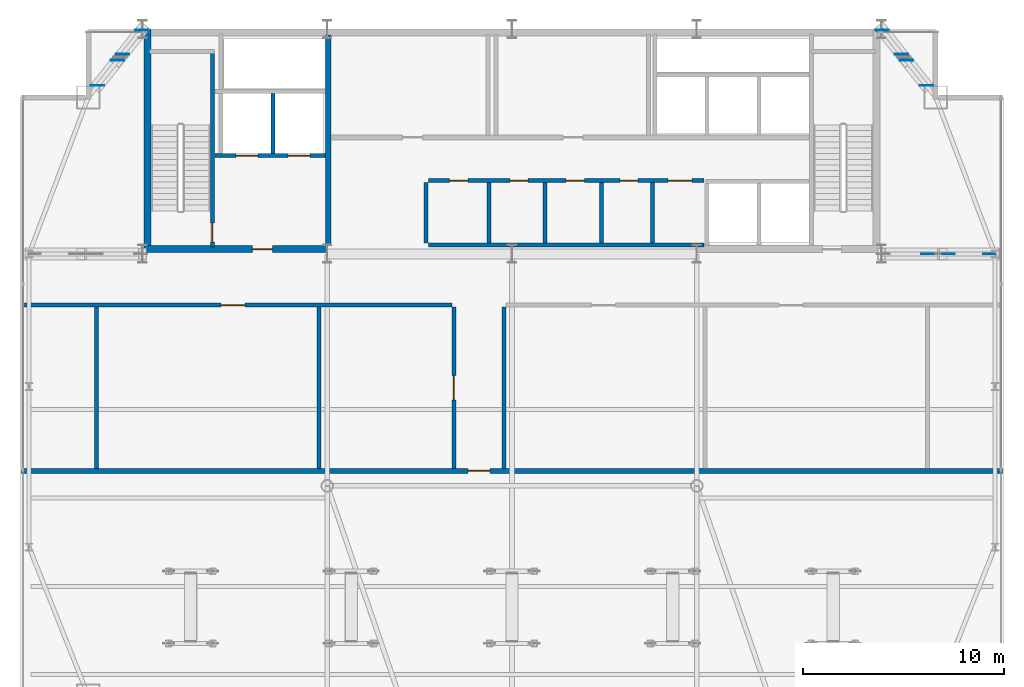
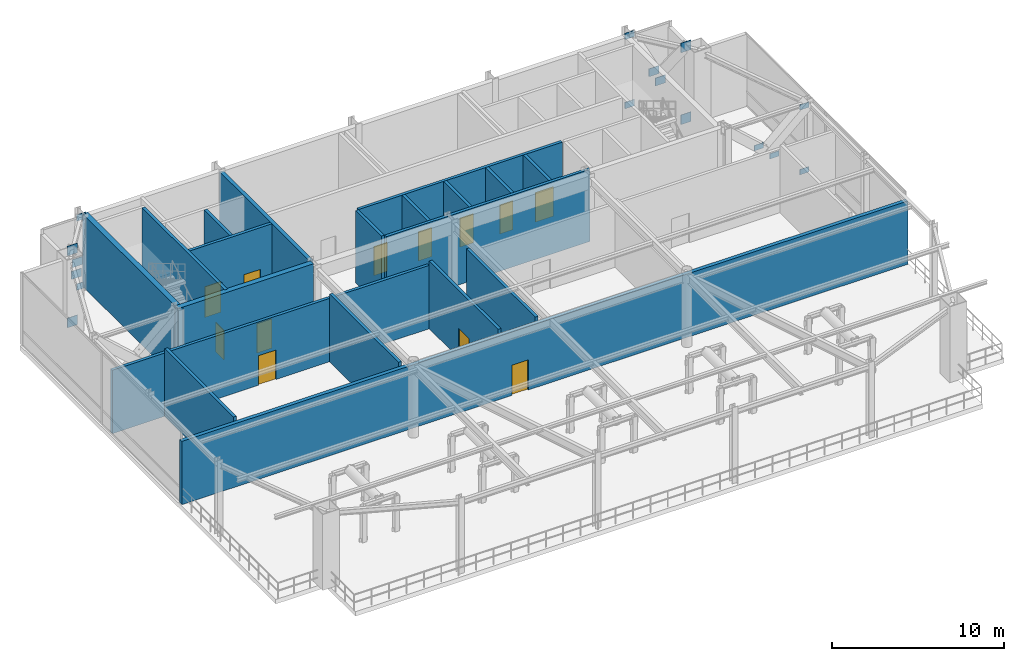
# One storey, part 18 of 21: 19 walls, 16 plates, 12 doors, 12 openings.
"""IFC4 building model written with IfcOpenShell, lengths in metres."""

from ifc_helpers import new_model, si_unit, direction, frame, frame_2d, origin, origin_2d, place, context, subcontext, project, spatial, rectangle, extrude, source, transform, mapped, material, layer, layer_set, type_object, type_shapes, element, fill, save


model = new_model("IFC4")

# Units and contexts
model_context = context("Model", 3, precision=1e-05, world=origin(), true_north=direction((0.0, 1.0)))
body_context = subcontext(model_context, "Body", "Model", "MODEL_VIEW")
ifc_project = project(units=[si_unit("LENGTHUNIT", "METRE"), si_unit("AREAUNIT", "SQUARE_METRE"), si_unit("VOLUMEUNIT", "CUBIC_METRE"), si_unit("PLANEANGLEUNIT", "RADIAN"), si_unit("MASSUNIT", "GRAM", prefix="KILO")], contexts=[model_context])

# Site, building, storey
site_placement = place(None, origin())
site = spatial("IfcSite", under=ifc_project, at=site_placement, CompositionType="ELEMENT")
building_placement = place(site_placement, origin())
building = spatial("IfcBuilding", under=site, at=building_placement, Name="Varnel Quay Broadcast Tower", CompositionType="ELEMENT")
storey_placement = place(building_placement, frame((0.0, 0.0, 234.0)))
storey = spatial("IfcBuildingStorey", under=building, at=storey_placement, Name="L58", CompositionType="ELEMENT", Elevation=234.0)

# Plates
ifc_material_1 = material(Name="Structural Steel CSA G40.21 350WT", Category="steel")
ifc_layer_1 = layer(ifc_material_1, 0.0400390625, Name="Structural Steel CSA G40.21 350WT")
ifc_layer_set_1 = layer_set([ifc_layer_1], Name="Structural Steel CSA G40.21 350WT")
plate_type_1 = type_object("IfcPlateType", Name="Plate_EmbedPlate", PredefinedType="USERDEFINED", material=ifc_layer_set_1)
shared_shape_1 = source(origin(), body_context, "Body", "SweptSolid", [
    extrude(rectangle(XDim=0.639892578125, YDim=0.0400390625, at=origin_2d()), origin(), (0.0, 0.0, 1.0), 0.449951171875),
])
type_shapes(plate_type_1, [shared_shape_1])
for number, where, z_axis, x_axis, name in (
    (1, (15.55712890625, 46.74609375, -0.10693359375), (0.0, 0.0, 1.0), (1.0, 0.0, 0.0), "L58 Outrigger NW Diag A Wall Cast-In Embed Plate P0"),
    (2, (15.55712890625, 46.745849609375, 4.806640625), (0.0, 0.0, 1.0), (1.0, 0.0, 0.0), "L58 Outrigger NW Diag B2 Wall Cast-In Embed Plate P1"),
    (3, (52.44287109375, 46.74609375, -0.10693359375), (0.0, 0.0, 1.0), (1.0, 0.0, 0.0), "L58 Outrigger NE Diag A Wall Cast-In Embed Plate P0"),
    (4, (52.44287109375, 46.745849609375, 4.806640625), (0.0, 0.0, 1.0), (1.0, 0.0, 0.0), "L58 Outrigger NE Diag B2 Wall Cast-In Embed Plate P1"),
):
    element("IfcPlate", number, at=place(storey_placement, frame(where, z_axis=z_axis, x_axis=x_axis)), inside=storey, type_object=plate_type_1, Name=name, ObjectType="EMBED_PLATE", PredefinedType="USERDEFINED", context=body_context, shape_type="MappedRepresentation", body=[
        mapped(shared_shape_1, transform((0.0, 0.0, 0.0), x_axis=(1.0, 0.0, 0.0), y_axis=(0.0, 1.0, 0.0), z_axis=(0.0, 0.0, 1.0), scale=1.0)),
    ])
ifc_layer_2 = layer(ifc_material_1, 0.031982421875, Name="Structural Steel CSA G40.21 350WT")
ifc_layer_set_2 = layer_set([ifc_layer_2], Name="Structural Steel CSA G40.21 350WT")
plate_type_2 = type_object("IfcPlateType", Name="Plate_EndCap", PredefinedType="USERDEFINED", material=ifc_layer_set_2)
shared_shape_2 = source(origin(), body_context, "Body", "SweptSolid", [
    extrude(rectangle(XDim=0.679931640625, YDim=0.0400390625, at=origin_2d()), origin(), (0.0, 0.0, 1.0), 0.679931640625),
])
for number, where, z_axis, x_axis, name in (
    (5, (13.365966796875, 43.98681640625, 4.7900390625), (0.0, 0.0, 1.0), (1.0, 0.0, 0.0), "L58 Outrigger NW Diag A End Connection Plate P1"),
    (6, (13.365966796875, 43.98681640625, -0.31982421875), (0.0, 0.0, 1.0), (1.0, 0.0, 0.0), "L58 Outrigger NW Diag B1 End Connection Plate P0"),
    (7, (54.634033203125, 43.98681640625, 4.7900390625), (0.0, 0.0, 1.0), (1.0, 0.0, 0.0), "L58 Outrigger NE Diag A End Connection Plate P1"),
    (8, (54.634033203125, 43.98681640625, -0.31982421875), (0.0, 0.0, 1.0), (1.0, 0.0, 0.0), "L58 Outrigger NE Diag B1 End Connection Plate P0"),
):
    element("IfcPlate", number, at=place(storey_placement, frame(where, z_axis=z_axis, x_axis=x_axis)), inside=storey, type_object=plate_type_2, Name=name, ObjectType="CAP_PLATE", PredefinedType="USERDEFINED", context=body_context, shape_type="MappedRepresentation", body=[
        mapped(shared_shape_2, transform((0.0, 0.0, 0.0), x_axis=(1.0, 0.0, 0.0), y_axis=(0.0, 1.0, 0.0), z_axis=(0.0, 0.0, 1.0), scale=1.0)),
    ])
shared_shape_3 = source(origin(), body_context, "Body", "SweptSolid", [
    extrude(rectangle(XDim=0.679931640625, YDim=0.0400390625, at=origin_2d()), origin(), (0.0, 0.0, 1.0), 0.56005859375),
])
for number, where, z_axis, x_axis, name in (
    (9, (14.35986328125, 45.238525390625, 2.013671875), (0.0, 0.0, 1.0), (1.0, 0.0, 0.0), "L58 Outrigger NW Diag B1 End Connection Plate P1"),
    (10, (14.60595703125, 45.548095703125, 2.576171875), (0.0, 0.0, 1.0), (1.0, 0.0, 0.0), "L58 Outrigger NW Diag B2 End Connection Plate P0"),
    (11, (53.639892578125, 45.238525390625, 2.013671875), (0.0, 0.0, 1.0), (1.0, 0.0, 0.0), "L58 Outrigger NE Diag B1 End Connection Plate P1"),
    (12, (53.39404296875, 45.548095703125, 2.576171875), (0.0, 0.0, 1.0), (1.0, 0.0, 0.0), "L58 Outrigger NE Diag B2 End Connection Plate P0"),
):
    element("IfcPlate", number, at=place(storey_placement, frame(where, z_axis=z_axis, x_axis=x_axis)), inside=storey, type_object=plate_type_2, Name=name, ObjectType="CAP_PLATE", PredefinedType="USERDEFINED", context=body_context, shape_type="MappedRepresentation", body=[
        mapped(shared_shape_3, transform((0.0, 0.0, 0.0), x_axis=(1.0, 0.0, 0.0), y_axis=(0.0, 1.0, 0.0), z_axis=(0.0, 0.0, 1.0), scale=1.0)),
    ])
shared_shape_4 = source(origin(), body_context, "Body", "SweptSolid", [
    extrude(rectangle(XDim=0.6201171875, YDim=0.031982421875, at=origin_2d()), origin(), (0.0, 0.0, 1.0), 0.3798828125),
])
type_shapes(plate_type_2, [shared_shape_2, shared_shape_3, shared_shape_4])
for number, where, z_axis, x_axis, name in (
    (13, (57.768310546875, 35.60009765625, 4.68505859375), (0.0, 0.0, 1.0), (1.0, 0.0, 0.0), "L58 Outrigger E Diag A End Connection Plate P1"),
    (14, (57.768310546875, 35.60009765625, 0.0849609375), (0.0, 0.0, 1.0), (1.0, 0.0, 0.0), "L58 Outrigger E Diag B1 End Connection Plate P0"),
    (15, (55.7490234375, 35.60009765625, 1.9111328125), (0.0, 0.0, 1.0), (1.0, 0.0, 0.0), "L58 Outrigger E Diag B1 End Connection Plate P1"),
    (16, (54.700927734375, 35.60009765625, 2.85888671875), (0.0, 0.0, 1.0), (1.0, 0.0, 0.0), "L58 Outrigger E Diag B2 End Connection Plate P0"),
):
    element("IfcPlate", number, at=place(storey_placement, frame(where, z_axis=z_axis, x_axis=x_axis)), inside=storey, type_object=plate_type_2, Name=name, ObjectType="CAP_PLATE", PredefinedType="USERDEFINED", context=body_context, shape_type="MappedRepresentation", body=[
        mapped(shared_shape_4, transform((0.0, 0.0, 0.0), x_axis=(1.0, 0.0, 0.0), y_axis=(0.0, 1.0, 0.0), z_axis=(0.0, 0.0, 1.0), scale=1.0)),
    ])

# Wall, opening, door
ifc_material_2 = material(Name="Concrete CSA A23.3 C50/60", Category="concrete")
ifc_layer_3 = layer(ifc_material_2, 0.199951171875, Name="Concrete CSA A23.3 C50/60")
ifc_layer_set_3 = layer_set([ifc_layer_3], Name="Concrete CSA A23.3 C50/60")
wall_type_1 = type_object("IfcWallType", Name="Wall_CoreShaftShear200", PredefinedType="SHEAR", material=ifc_layer_set_3)
wall_1_placement = place(storey_placement, frame((19.080078125, 35.949951171875, 0.0), z_axis=(0.0, 0.0, 1.0), x_axis=(0.0, 1.0, 0.0)))
wall_1 = element("IfcWall", 17, at=wall_1_placement, inside=storey, type_object=wall_type_1, Name="L58 Stair 1 East Structural Wall", PredefinedType="SHEAR", context=body_context, shape_type="SweptSolid", body=[
    extrude(rectangle(XDim=9.650146484375, YDim=0.199951171875, at=frame_2d((4.8251953125, 0.0))), origin(), (0.0, 0.0, 1.0), 5.14990234375),
])
opening_1_placement = place(wall_1_placement, frame((0.25, 0.0, 0.0)))
opening_1 = element("IfcOpeningElement", 18, at=opening_1_placement, cuts=wall_1, Name="Opening D-L58-S1", PredefinedType="OPENING", context=body_context, shape_type="SweptSolid", body=[
    extrude(rectangle(XDim=0.949951171875, YDim=2.10009765625, at=frame_2d((0.47509765625, 1.050048828125))), frame((0.0, 0.10986328125, 0.0), z_axis=(0.0, -1.0, 0.0), x_axis=(1.0, 0.0, 0.0)), (0.0, 0.0, 1.0), 0.219970703125),
])
ifc_material_3 = material(Name="Insulated Fire-Rated Hollow Steel Door", Category="steel")
door_type_1 = type_object("IfcDoorType", Name="Door_FireStair950", OperationType="NOTDEFINED", PredefinedType="DOOR", material=ifc_material_3)
shared_shape_5 = source(origin(), body_context, "Body", "SweptSolid", [
    extrude(rectangle(XDim=0.949951171875, YDim=2.10009765625, at=frame_2d((0.47509765625, 1.050048828125))), frame((0.0, 0.02490234375, 0.0), z_axis=(0.0, -1.0, 0.0), x_axis=(1.0, 0.0, 0.0)), (0.0, 0.0, 1.0), 0.050048828125),
])
type_shapes(door_type_1, [shared_shape_5])
door_1_placement = place(opening_1_placement, origin())
door_1 = element("IfcDoor", 19, at=door_1_placement, inside=storey, type_object=door_type_1, Name="L58 Stair 1 Fire Door", OperationType="SINGLE_SWING_RIGHT", OverallHeight=2.10009765625, OverallWidth=0.949951171875, PredefinedType="DOOR", context=body_context, shape_type="MappedRepresentation", body=[
    mapped(shared_shape_5, transform((0.0, 0.0, 0.0), x_axis=(1.0, 0.0, 0.0), y_axis=(0.0, 1.0, 0.0), z_axis=(0.0, 0.0, 1.0), scale=1.0)),
])
fill(opening_1, door_1)

# Wall, openings, doors
wall_2_placement = place(storey_placement, frame((19.199951171875, 40.5, 0.0), z_axis=(0.0, 0.0, 1.0), x_axis=(1.0, 0.0, 0.0)))
wall_2 = element("IfcWall", 20, at=wall_2_placement, inside=storey, type_object=wall_type_1, Name="L58 Firefighter Lift Shaft Front Wall", PredefinedType="SHEAR", context=body_context, shape_type="SweptSolid", body=[
    extrude(rectangle(XDim=5.52001953125, YDim=0.199951171875, at=frame_2d((2.760009765625, 0.0))), origin(), (0.0, 0.0, 1.0), 5.14990234375),
])
opening_2_placement = place(wall_2_placement, frame((1.050048828125, 0.0, 0.0)))
opening_2 = element("IfcOpeningElement", 21, at=opening_2_placement, cuts=wall_2, Name="Opening LD-L58-FE1", PredefinedType="OPENING", context=body_context, shape_type="SweptSolid", body=[
    extrude(rectangle(XDim=1.10009765625, YDim=2.179931640625, at=frame_2d((0.550048828125, 1.08984375))), frame((0.0, 0.10986328125, 0.0), z_axis=(0.0, -1.0, 0.0), x_axis=(1.0, 0.0, 0.0)), (0.0, 0.0, 1.0), 0.219970703125),
])
opening_3_placement = place(wall_2_placement, frame((3.64990234375, 0.0, 0.0)))
opening_3 = element("IfcOpeningElement", 22, at=opening_3_placement, cuts=wall_2, Name="Opening LD-L58-FE2", PredefinedType="OPENING", context=body_context, shape_type="SweptSolid", body=[
    extrude(rectangle(XDim=1.10009765625, YDim=2.179931640625, at=frame_2d((0.550048828125, 1.08984375))), frame((0.0, 0.10986328125, 0.0), z_axis=(0.0, -1.0, 0.0), x_axis=(1.0, 0.0, 0.0)), (0.0, 0.0, 1.0), 0.219970703125),
])
ifc_material_4 = material(Name="Brushed Bronze-Stainless Lift Car & Sliding Doors", Category="steel")
door_type_2 = type_object("IfcDoorType", Name="Door_LiftLanding1100", OperationType="SLIDING_TO_LEFT", PredefinedType="DOOR", material=ifc_material_4)
shared_shape_6 = source(origin(), body_context, "Body", "SweptSolid", [
    extrude(rectangle(XDim=1.10009765625, YDim=2.179931640625, at=frame_2d((0.550048828125, 1.08984375))), frame((0.0, 0.02490234375, 0.0), z_axis=(0.0, -1.0, 0.0), x_axis=(1.0, 0.0, 0.0)), (0.0, 0.0, 1.0), 0.050048828125),
])
type_shapes(door_type_2, [shared_shape_6])
door_2_placement = place(opening_2_placement, frame((1.10009765625, 0.0, 0.0), z_axis=(0.0, 0.0, 1.0), x_axis=(-1.0, 0.0, 0.0)))
door_2 = element("IfcDoor", 23, at=door_2_placement, inside=storey, type_object=door_type_2, Name="L58 Firefighter Lift FE-01 Landing Door", OperationType="SLIDING_TO_LEFT", OverallHeight=2.179931640625, OverallWidth=1.10009765625, PredefinedType="DOOR", context=body_context, shape_type="MappedRepresentation", body=[
    mapped(shared_shape_6, transform((0.0, 0.0, 0.0), x_axis=(1.0, 0.0, 0.0), y_axis=(0.0, 1.0, 0.0), z_axis=(0.0, 0.0, 1.0), scale=1.0)),
])
fill(opening_2, door_2)
door_3_placement = place(opening_3_placement, frame((1.10009765625, 0.0, 0.0), z_axis=(0.0, 0.0, 1.0), x_axis=(-1.0, 0.0, 0.0)))
door_3 = element("IfcDoor", 24, at=door_3_placement, inside=storey, type_object=door_type_2, Name="L58 Firefighter Lift FE-02 Landing Door", OperationType="SLIDING_TO_RIGHT", OverallHeight=2.179931640625, OverallWidth=1.10009765625, PredefinedType="DOOR", context=body_context, shape_type="MappedRepresentation", body=[
    mapped(shared_shape_6, transform((0.0, 0.0, 0.0), x_axis=(1.0, 0.0, 0.0), y_axis=(0.0, 1.0, 0.0), z_axis=(0.0, 0.0, 1.0), scale=1.0)),
])
fill(opening_3, door_3)

# Walls
wall_3_placement = place(storey_placement, frame((22.10009765625, 40.60009765625, 0.0), z_axis=(0.0, 0.0, 1.0), x_axis=(0.0, 1.0, 0.0)))
element("IfcWall", 25, at=wall_3_placement, inside=storey, type_object=wall_type_1, Name="L58 Firefighter Lift Shaft Divider", PredefinedType="SHEAR", context=body_context, shape_type="SweptSolid", body=[
    extrude(rectangle(XDim=3.0, YDim=0.199951171875, at=frame_2d((1.5, 0.0))), origin(), (0.0, 0.0, 1.0), 5.14990234375),
])
ifc_layer_4 = layer(ifc_material_2, 0.25, Name="Concrete CSA A23.3 C50/60")
ifc_layer_set_4 = layer_set([ifc_layer_4], Name="Concrete CSA A23.3 C50/60")
wall_type_2 = type_object("IfcWallType", Name="Wall_CoreShaftShear250", PredefinedType="SHEAR", material=ifc_layer_set_4)
wall_4_placement = place(storey_placement, frame((24.85009765625, 36.050048828125, 0.0), z_axis=(0.0, 0.0, 1.0), x_axis=(0.0, 1.0, 0.0)))
element("IfcWall", 26, at=wall_4_placement, inside=storey, type_object=wall_type_2, Name="L58 Firefighting Lobby East Structural Wall", PredefinedType="SHEAR", context=body_context, shape_type="SweptSolid", body=[
    extrude(rectangle(XDim=10.449951171875, YDim=0.25, at=frame_2d((5.22509765625, 0.0))), origin(), (0.0, 0.0, 1.0), 5.14990234375),
])
ifc_layer_5 = layer(ifc_material_2, 0.35009765625, Name="Concrete CSA A23.3 C50/60")
ifc_layer_set_5 = layer_set([ifc_layer_5], Name="Concrete CSA A23.3 C50/60")
wall_type_3 = type_object("IfcWallType", Name="Wall_CoreShearInt350", PredefinedType="SHEAR", material=ifc_layer_set_5)
wall_5_placement = place(storey_placement, frame((15.844970703125, 35.669921875, 0.0), z_axis=(0.0, 0.0, 1.0), x_axis=(0.0, 1.0, 0.0)))
element("IfcWall", 27, at=wall_5_placement, inside=storey, type_object=wall_type_3, Name="L58 West Core Shear Wall", PredefinedType="SHEAR", context=body_context, shape_type="SweptSolid", body=[
    extrude(rectangle(XDim=11.130126953125, YDim=0.35009765625, at=frame_2d((5.56494140625, 0.0))), origin(), (0.0, 0.0, 1.0), 5.14990234375),
])

# Wall, opening, door
wall_6_placement = place(storey_placement, frame((15.669921875, 35.844970703125, 0.0), z_axis=(0.0, 0.0, 1.0), x_axis=(1.0, 0.0, 0.0)))
wall_6 = element("IfcWall", 28, at=wall_6_placement, inside=storey, type_object=wall_type_3, Name="L58 South-West Core Shear Wall", PredefinedType="SHEAR", context=body_context, shape_type="SweptSolid", body=[
    extrude(rectangle(XDim=9.130126953125, YDim=0.35009765625, at=frame_2d((4.56494140625, 0.0))), origin(), (0.0, 0.0, 1.0), 5.14990234375),
])
opening_4_placement = place(wall_6_placement, frame((5.39990234375, 0.0, 0.0)))
opening_4 = element("IfcOpeningElement", 29, at=opening_4_placement, cuts=wall_6, Name="Opening D-L58-FFL", PredefinedType="OPENING", context=body_context, shape_type="SweptSolid", body=[
    extrude(rectangle(XDim=1.0, YDim=2.10009765625, at=frame_2d((0.5, 1.050048828125))), frame((0.0, 0.18505859375, 0.0), z_axis=(0.0, -1.0, 0.0), x_axis=(1.0, 0.0, 0.0)), (0.0, 0.0, 1.0), 0.3701171875),
])
door_type_3 = type_object("IfcDoorType", Name="Door_FireLobby1000", OperationType="NOTDEFINED", PredefinedType="DOOR", material=ifc_material_3)
shared_shape_7 = source(origin(), body_context, "Body", "SweptSolid", [
    extrude(rectangle(XDim=1.0, YDim=2.10009765625, at=frame_2d((0.5, 1.050048828125))), frame((0.0, 0.02490234375, 0.0), z_axis=(0.0, -1.0, 0.0), x_axis=(1.0, 0.0, 0.0)), (0.0, 0.0, 1.0), 0.050048828125),
])
type_shapes(door_type_3, [shared_shape_7])
door_4_placement = place(opening_4_placement, origin())
door_4 = element("IfcDoor", 30, at=door_4_placement, inside=storey, type_object=door_type_3, Name="L58 Firefighting Lobby Door", OperationType="SINGLE_SWING_LEFT", OverallHeight=2.10009765625, OverallWidth=1.0, PredefinedType="DOOR", context=body_context, shape_type="MappedRepresentation", body=[
    mapped(shared_shape_7, transform((0.0, 0.0, 0.0), x_axis=(1.0, 0.0, 0.0), y_axis=(0.0, 1.0, 0.0), z_axis=(0.0, 0.0, 1.0), scale=1.0)),
])
fill(opening_4, door_4)

ifc_material_5 = material(Name="Precast Architectural Concrete C40/50", Category="concrete")
ifc_layer_6 = layer(ifc_material_5, 0.25, Name="Precast Architectural Concrete C40/50")
ifc_layer_set_6 = layer_set([ifc_layer_6], Name="Precast Architectural Concrete C40/50")
wall_type_4 = type_object("IfcWallType", Name="Wall_ExtTerrace250", PredefinedType="SOLIDWALL", material=ifc_layer_set_6)
wall_7_placement = place(storey_placement, frame((9.580078125, 24.800048828125, 0.0), z_axis=(0.0, 0.0, 1.0), x_axis=(1.0, 0.0, 0.0)))
wall_7 = element("IfcWall", 31, at=wall_7_placement, inside=storey, type_object=wall_type_4, Name="L58 Turbine Deck Acoustic Partition Wall", PredefinedType="SOLIDWALL", context=body_context, shape_type="SweptSolid", body=[
    extrude(rectangle(XDim=48.83984375, YDim=0.25, at=frame_2d((24.419921875, 0.0))), origin(), (0.0, 0.0, 1.0), 4.508056640625),
])
opening_5_placement = place(wall_7_placement, frame((22.219970703125, 0.0, 0.0)))
opening_5 = element("IfcOpeningElement", 32, at=opening_5_placement, cuts=wall_7, Name="Opening TD-5801", PredefinedType="OPENING", context=body_context, shape_type="SweptSolid", body=[
    extrude(rectangle(XDim=1.10009765625, YDim=2.14990234375, at=frame_2d((0.550048828125, 1.074951171875))), frame((0.0, 0.135009765625, 0.0), z_axis=(0.0, -1.0, 0.0), x_axis=(1.0, 0.0, 0.0)), (0.0, 0.0, 1.0), 0.27001953125),
])
ifc_material_6 = material(Name="Anodised Bronze Aluminium 6063-T6", Category="aluminium")
door_type_4 = type_object("IfcDoorType", Name="Door_ExtTerrace1100", OperationType="NOTDEFINED", PredefinedType="DOOR", material=ifc_material_6)
shared_shape_8 = source(origin(), body_context, "Body", "SweptSolid", [
    extrude(rectangle(XDim=1.10009765625, YDim=2.14990234375, at=frame_2d((0.550048828125, 1.074951171875))), frame((0.0, 0.02490234375, 0.0), z_axis=(0.0, -1.0, 0.0), x_axis=(1.0, 0.0, 0.0)), (0.0, 0.0, 1.0), 0.050048828125),
])
type_shapes(door_type_4, [shared_shape_8])
door_5_placement = place(opening_5_placement, frame((1.10009765625, 0.0, 0.0), z_axis=(0.0, 0.0, 1.0), x_axis=(-1.0, 0.0, 0.0)))
door_5 = element("IfcDoor", 33, at=door_5_placement, inside=storey, type_object=door_type_4, Name="L58 Wind-Turbine Maintenance Deck Door", OperationType="SINGLE_SWING_LEFT", OverallHeight=2.14990234375, OverallWidth=1.10009765625, PredefinedType="DOOR", context=body_context, shape_type="MappedRepresentation", body=[
    mapped(shared_shape_8, transform((0.0, 0.0, 0.0), x_axis=(1.0, 0.0, 0.0), y_axis=(0.0, 1.0, 0.0), z_axis=(0.0, 0.0, 1.0), scale=1.0)),
])
fill(opening_5, door_5)

# Walls
ifc_material_7 = material(Name="Concrete Blockwork Fire Enclosure C40/50", Category="masonry")
ifc_layer_7 = layer(ifc_material_7, 0.199951171875, Name="Concrete Blockwork Fire Enclosure C40/50")
ifc_layer_set_7 = layer_set([ifc_layer_7], Name="Concrete Blockwork Fire Enclosure C40/50")
wall_type_5 = type_object("IfcWallType", Name="Wall_FireShaft200", PredefinedType="SOLIDWALL", material=ifc_layer_set_7)
wall_8_placement = place(storey_placement, frame((29.85009765625, 36.050048828125, 0.0), z_axis=(0.0, 0.0, 1.0), x_axis=(1.0, 0.0, 0.0)))
element("IfcWall", 34, at=wall_8_placement, inside=storey, type_object=wall_type_5, Name="L58 Plant Floor Accessible Washroom Partition 1", PredefinedType="SOLIDWALL", context=body_context, shape_type="SweptSolid", body=[
    extrude(rectangle(XDim=13.699951171875, YDim=0.199951171875, at=frame_2d((6.85009765625, 0.0))), origin(), (0.0, 0.0, 1.0), 5.1298828125),
])
wall_9_placement = place(storey_placement, frame((32.85009765625, 36.14990234375, 0.0), z_axis=(0.0, 0.0, 1.0), x_axis=(0.0, 1.0, 0.0)))
element("IfcWall", 35, at=wall_9_placement, inside=storey, type_object=wall_type_5, Name="L58 Plant Floor Accessible Washroom Partition 2", PredefinedType="SOLIDWALL", context=body_context, shape_type="SweptSolid", body=[
    extrude(rectangle(XDim=3.0, YDim=0.199951171875, at=frame_2d((1.5, 0.0))), origin(), (0.0, 0.0, 1.0), 5.1298828125),
])

# Wall, openings, doors
wall_10_placement = place(storey_placement, frame((29.85009765625, 39.25, 0.0), z_axis=(0.0, 0.0, 1.0), x_axis=(1.0, 0.0, 0.0)))
wall_10 = element("IfcWall", 36, at=wall_10_placement, inside=storey, type_object=wall_type_5, Name="L58 Plant Floor Accessible Washroom Partition 3", PredefinedType="SOLIDWALL", context=body_context, shape_type="SweptSolid", body=[
    extrude(rectangle(XDim=13.699951171875, YDim=0.199951171875, at=frame_2d((6.85009765625, 0.0))), origin(), (0.0, 0.0, 1.0), 5.1298828125),
])
opening_6_placement = place(wall_10_placement, frame((1.050048828125, 0.0, 0.0)))
opening_6 = element("IfcOpeningElement", 37, at=opening_6_placement, cuts=wall_10, Name="Opening D-L58-01", PredefinedType="OPENING", context=body_context, shape_type="SweptSolid", body=[
    extrude(rectangle(XDim=0.89990234375, YDim=2.06005859375, at=frame_2d((0.449951171875, 1.030029296875))), frame((0.0, 0.10986328125, 0.0), z_axis=(0.0, -1.0, 0.0), x_axis=(1.0, 0.0, 0.0)), (0.0, 0.0, 1.0), 0.219970703125),
])
opening_7_placement = place(wall_10_placement, frame((4.050048828125, 0.0, 0.0)))
opening_7 = element("IfcOpeningElement", 38, at=opening_7_placement, cuts=wall_10, Name="Opening D-L58-02", PredefinedType="OPENING", context=body_context, shape_type="SweptSolid", body=[
    extrude(rectangle(XDim=0.89990234375, YDim=2.06005859375, at=frame_2d((0.449951171875, 1.030029296875))), frame((0.0, 0.10986328125, 0.0), z_axis=(0.0, -1.0, 0.0), x_axis=(1.0, 0.0, 0.0)), (0.0, 0.0, 1.0), 0.219970703125),
])
opening_8_placement = place(wall_10_placement, frame((6.85009765625, 0.0, 0.0)))
opening_8 = element("IfcOpeningElement", 39, at=opening_8_placement, cuts=wall_10, Name="Opening D-L58-03", PredefinedType="OPENING", context=body_context, shape_type="SweptSolid", body=[
    extrude(rectangle(XDim=0.89990234375, YDim=2.06005859375, at=frame_2d((0.449951171875, 1.030029296875))), frame((0.0, 0.10986328125, 0.0), z_axis=(0.0, -1.0, 0.0), x_axis=(1.0, 0.0, 0.0)), (0.0, 0.0, 1.0), 0.219970703125),
])
opening_9_placement = place(wall_10_placement, frame((9.534912109375, 0.0, 0.0)))
opening_9 = element("IfcOpeningElement", 40, at=opening_9_placement, cuts=wall_10, Name="Opening D-L58-04", PredefinedType="OPENING", context=body_context, shape_type="SweptSolid", body=[
    extrude(rectangle(XDim=0.8798828125, YDim=2.06005859375, at=frame_2d((0.43994140625, 1.030029296875))), frame((0.0, 0.10986328125, 0.0), z_axis=(0.0, -1.0, 0.0), x_axis=(1.0, 0.0, 0.0)), (0.0, 0.0, 1.0), 0.219970703125),
])
opening_10_placement = place(wall_10_placement, frame((11.925048828125, 0.0, 0.0)))
opening_10 = element("IfcOpeningElement", 41, at=opening_10_placement, cuts=wall_10, Name="Opening D-L58-05", PredefinedType="OPENING", context=body_context, shape_type="SweptSolid", body=[
    extrude(rectangle(XDim=1.199951171875, YDim=2.10009765625, at=frame_2d((0.60009765625, 1.050048828125))), frame((0.0, 0.10986328125, 0.0), z_axis=(0.0, -1.0, 0.0), x_axis=(1.0, 0.0, 0.0)), (0.0, 0.0, 1.0), 0.219970703125),
])
ifc_material_8 = material(Name="Solid-Core Fire-Rated Acoustic Oak Veneer Door", Category="wood")
door_type_5 = type_object("IfcDoorType", Name="Door_Washroom900", OperationType="NOTDEFINED", PredefinedType="DOOR", material=ifc_material_8)
shared_shape_9 = source(origin(), body_context, "Body", "SweptSolid", [
    extrude(rectangle(XDim=0.89990234375, YDim=2.06005859375, at=frame_2d((0.449951171875, 1.030029296875))), frame((0.0, 0.02490234375, 0.0), z_axis=(0.0, -1.0, 0.0), x_axis=(1.0, 0.0, 0.0)), (0.0, 0.0, 1.0), 0.050048828125),
])
type_shapes(door_type_5, [shared_shape_9])
door_6_placement = place(opening_6_placement, frame((0.89990234375, 0.0, 0.0), z_axis=(0.0, 0.0, 1.0), x_axis=(-1.0, 0.0, 0.0)))
door_6 = element("IfcDoor", 42, at=door_6_placement, inside=storey, type_object=door_type_5, Name="L58 Plant Floor Accessible Washroom Door D-L58-01", OperationType="SINGLE_SWING_LEFT", OverallHeight=2.06005859375, OverallWidth=0.89990234375, PredefinedType="DOOR", context=body_context, shape_type="MappedRepresentation", body=[
    mapped(shared_shape_9, transform((0.0, 0.0, 0.0), x_axis=(1.0, 0.0, 0.0), y_axis=(0.0, 1.0, 0.0), z_axis=(0.0, 0.0, 1.0), scale=1.0)),
])
fill(opening_6, door_6)
door_7_placement = place(opening_7_placement, frame((0.89990234375, 0.0, 0.0), z_axis=(0.0, 0.0, 1.0), x_axis=(-1.0, 0.0, 0.0)))
door_7 = element("IfcDoor", 43, at=door_7_placement, inside=storey, type_object=door_type_5, Name="L58 Mechanical West Washroom Door D-L58-02", OperationType="SINGLE_SWING_RIGHT", OverallHeight=2.06005859375, OverallWidth=0.89990234375, PredefinedType="DOOR", context=body_context, shape_type="MappedRepresentation", body=[
    mapped(shared_shape_9, transform((0.0, 0.0, 0.0), x_axis=(1.0, 0.0, 0.0), y_axis=(0.0, 1.0, 0.0), z_axis=(0.0, 0.0, 1.0), scale=1.0)),
])
fill(opening_7, door_7)
door_8_placement = place(opening_8_placement, frame((0.89990234375, 0.0, 0.0), z_axis=(0.0, 0.0, 1.0), x_axis=(-1.0, 0.0, 0.0)))
door_8 = element("IfcDoor", 44, at=door_8_placement, inside=storey, type_object=door_type_5, Name="L58 Mechanical East Washroom Door D-L58-03", OperationType="SINGLE_SWING_LEFT", OverallHeight=2.06005859375, OverallWidth=0.89990234375, PredefinedType="DOOR", context=body_context, shape_type="MappedRepresentation", body=[
    mapped(shared_shape_9, transform((0.0, 0.0, 0.0), x_axis=(1.0, 0.0, 0.0), y_axis=(0.0, 1.0, 0.0), z_axis=(0.0, 0.0, 1.0), scale=1.0)),
])
fill(opening_8, door_8)
door_type_6 = type_object("IfcDoorType", Name="Door_Plant1200", OperationType="NOTDEFINED", PredefinedType="DOOR", material=ifc_material_3)
shared_shape_10 = source(origin(), body_context, "Body", "SweptSolid", [
    extrude(rectangle(XDim=1.199951171875, YDim=2.10009765625, at=frame_2d((0.60009765625, 1.050048828125))), frame((0.0, 0.02490234375, 0.0), z_axis=(0.0, -1.0, 0.0), x_axis=(1.0, 0.0, 0.0)), (0.0, 0.0, 1.0), 0.050048828125),
])
type_shapes(door_type_6, [shared_shape_10])
door_9_placement = place(opening_10_placement, origin())
door_9 = element("IfcDoor", 45, at=door_9_placement, inside=storey, type_object=door_type_6, Name="L58 Mechanical Telecom IDF Switchroom Door D-L58-05", OperationType="SINGLE_SWING_LEFT", OverallHeight=2.10009765625, OverallWidth=1.199951171875, PredefinedType="DOOR", context=body_context, shape_type="MappedRepresentation", body=[
    mapped(shared_shape_10, transform((0.0, 0.0, 0.0), x_axis=(1.0, 0.0, 0.0), y_axis=(0.0, 1.0, 0.0), z_axis=(0.0, 0.0, 1.0), scale=1.0)),
])
fill(opening_10, door_9)
door_type_7 = type_object("IfcDoorType", Name="Door_Booth880", OperationType="NOTDEFINED", PredefinedType="DOOR", material=ifc_material_8)
shared_shape_11 = source(origin(), body_context, "Body", "SweptSolid", [
    extrude(rectangle(XDim=0.8798828125, YDim=2.06005859375, at=frame_2d((0.43994140625, 1.030029296875))), frame((0.0, 0.02490234375, 0.0), z_axis=(0.0, -1.0, 0.0), x_axis=(1.0, 0.0, 0.0)), (0.0, 0.0, 1.0), 0.050048828125),
])
type_shapes(door_type_7, [shared_shape_11])
door_10_placement = place(opening_9_placement, frame((0.8798828125, 0.0, 0.0), z_axis=(0.0, 0.0, 1.0), x_axis=(-1.0, 0.0, 0.0)))
door_10 = element("IfcDoor", 46, at=door_10_placement, inside=storey, type_object=door_type_7, Name="L58 Cleaners' & Linen Store Door D-L58-04", OperationType="SINGLE_SWING_RIGHT", OverallHeight=2.06005859375, OverallWidth=0.8798828125, PredefinedType="DOOR", context=body_context, shape_type="MappedRepresentation", body=[
    mapped(shared_shape_11, transform((0.0, 0.0, 0.0), x_axis=(1.0, 0.0, 0.0), y_axis=(0.0, 1.0, 0.0), z_axis=(0.0, 0.0, 1.0), scale=1.0)),
])
fill(opening_9, door_10)

# Walls
for number, where, z_axis, x_axis, name in (
    (47, (29.72509765625, 36.14990234375, 0.0), (0.0, 0.0, 1.0), (0.0, 1.0, 0.0), "L58 Plant Floor Accessible Washroom Partition 4"),
    (48, (35.64990234375, 36.14990234375, 0.0), (0.0, 0.0, 1.0), (0.0, 1.0, 0.0), "L58 Mechanical West Washroom Partition 5"),
    (49, (38.449951171875, 36.14990234375, 0.0), (0.0, 0.0, 1.0), (0.0, 1.0, 0.0), "L58 Mechanical East Washroom Partition 6"),
    (50, (41.0, 36.14990234375, 0.0), (0.0, 0.0, 1.0), (0.0, 1.0, 0.0), "L58 Cleaners' & Linen Store Partition 7"),
):
    element("IfcWall", number, at=place(storey_placement, frame(where, z_axis=z_axis, x_axis=x_axis)), inside=storey, type_object=wall_type_5, Name=name, PredefinedType="SOLIDWALL", context=body_context, shape_type="SweptSolid", body=[
        extrude(rectangle(XDim=3.0, YDim=0.199951171875, at=frame_2d((1.5, 0.0))), origin(), (0.0, 0.0, 1.0), 5.1298828125),
    ])
wall_11_placement = place(storey_placement, frame((24.39990234375, 24.925048828125, 0.0), z_axis=(0.0, 0.0, 1.0), x_axis=(0.0, 1.0, 0.0)))
element("IfcWall", 51, at=wall_11_placement, inside=storey, type_object=wall_type_5, Name="L58 L58 West Protected Refuge Area Partition 8", PredefinedType="SOLIDWALL", context=body_context, shape_type="SweptSolid", body=[
    extrude(rectangle(XDim=8.02490234375, YDim=0.199951171875, at=frame_2d((4.012451171875, 0.0))), origin(), (0.0, 0.0, 1.0), 4.822021484375),
])

# Wall, opening, door
wall_12_placement = place(storey_placement, frame((9.679931640625, 33.050048828125, 0.0), z_axis=(0.0, 0.0, 1.0), x_axis=(1.0, 0.0, 0.0)))
wall_12 = element("IfcWall", 52, at=wall_12_placement, inside=storey, type_object=wall_type_5, Name="L58 L58 West Protected Refuge Area Partition 9", PredefinedType="SOLIDWALL", context=body_context, shape_type="SweptSolid", body=[
    extrude(rectangle(XDim=21.320068359375, YDim=0.199951171875, at=frame_2d((10.66015625, 0.0))), origin(), (0.0, 0.0, 1.0), 4.508056640625),
])
opening_11_placement = place(wall_12_placement, frame((9.820068359375, 0.0, 0.0)))
opening_11 = element("IfcOpeningElement", 53, at=opening_11_placement, cuts=wall_12, Name="Opening D-L58-06", PredefinedType="OPENING", context=body_context, shape_type="SweptSolid", body=[
    extrude(rectangle(XDim=1.199951171875, YDim=2.10009765625, at=frame_2d((0.60009765625, 1.050048828125))), frame((0.0, 0.10986328125, 0.0), z_axis=(0.0, -1.0, 0.0), x_axis=(1.0, 0.0, 0.0)), (0.0, 0.0, 1.0), 0.219970703125),
])
door_11_placement = place(opening_11_placement, origin())
door_11 = element("IfcDoor", 54, at=door_11_placement, inside=storey, type_object=door_type_6, Name="L58 L58 West Protected Refuge Area Door D-L58-06", OperationType="SINGLE_SWING_RIGHT", OverallHeight=2.10009765625, OverallWidth=1.199951171875, PredefinedType="DOOR", context=body_context, shape_type="MappedRepresentation", body=[
    mapped(shared_shape_10, transform((0.0, 0.0, 0.0), x_axis=(1.0, 0.0, 0.0), y_axis=(0.0, 1.0, 0.0), z_axis=(0.0, 0.0, 1.0), scale=1.0)),
])
fill(opening_11, door_11)

# Walls
for number, where, z_axis, x_axis, name in (
    (55, (13.300048828125, 24.925048828125, 0.0), (0.0, 0.0, 1.0), (0.0, 1.0, 0.0), "L58 L58 West Protected Refuge Area Partition 10"),
    (56, (33.60009765625, 24.925048828125, 0.0), (0.0, 0.0, 1.0), (0.0, 1.0, 0.0), "L58 Wind-Turbine Power Conditioning Plant Room Partition 14"),
):
    element("IfcWall", number, at=place(storey_placement, frame(where, z_axis=z_axis, x_axis=x_axis)), inside=storey, type_object=wall_type_5, Name=name, PredefinedType="SOLIDWALL", context=body_context, shape_type="SweptSolid", body=[
        extrude(rectangle(XDim=8.02490234375, YDim=0.199951171875, at=frame_2d((4.012451171875, 0.0))), origin(), (0.0, 0.0, 1.0), 4.822021484375),
    ])

# Wall, opening, door
wall_13_placement = place(storey_placement, frame((31.10009765625, 24.925048828125, 0.0), z_axis=(0.0, 0.0, 1.0), x_axis=(0.0, 1.0, 0.0)))
wall_13 = element("IfcWall", 57, at=wall_13_placement, inside=storey, type_object=wall_type_5, Name="L58 Turbine Switchgear & Control Plant Room Partition 15", PredefinedType="SOLIDWALL", context=body_context, shape_type="SweptSolid", body=[
    extrude(rectangle(XDim=8.02490234375, YDim=0.199951171875, at=frame_2d((4.012451171875, 0.0))), origin(), (0.0, 0.0, 1.0), 4.822021484375),
])
opening_12_placement = place(wall_13_placement, frame((3.4130859375, 0.0, 0.0)))
opening_12 = element("IfcOpeningElement", 58, at=opening_12_placement, cuts=wall_13, Name="Opening D-L58-09", PredefinedType="OPENING", context=body_context, shape_type="SweptSolid", body=[
    extrude(rectangle(XDim=1.199951171875, YDim=2.10009765625, at=frame_2d((0.60009765625, 1.050048828125))), frame((0.0, 0.10986328125, 0.0), z_axis=(0.0, -1.0, 0.0), x_axis=(1.0, 0.0, 0.0)), (0.0, 0.0, 1.0), 0.219970703125),
])
door_12_placement = place(opening_12_placement, frame((1.199951171875, 0.0, 0.0), z_axis=(0.0, 0.0, 1.0), x_axis=(-1.0, 0.0, 0.0)))
door_12 = element("IfcDoor", 59, at=door_12_placement, inside=storey, type_object=door_type_6, Name="L58 Turbine Switchgear & Control Plant Room Door D-L58-09", OperationType="SINGLE_SWING_LEFT", OverallHeight=2.10009765625, OverallWidth=1.199951171875, PredefinedType="DOOR", context=body_context, shape_type="MappedRepresentation", body=[
    mapped(shared_shape_10, transform((0.0, 0.0, 0.0), x_axis=(1.0, 0.0, 0.0), y_axis=(0.0, 1.0, 0.0), z_axis=(0.0, 0.0, 1.0), scale=1.0)),
])
fill(opening_12, door_12)

save(model, "model.ifc")
